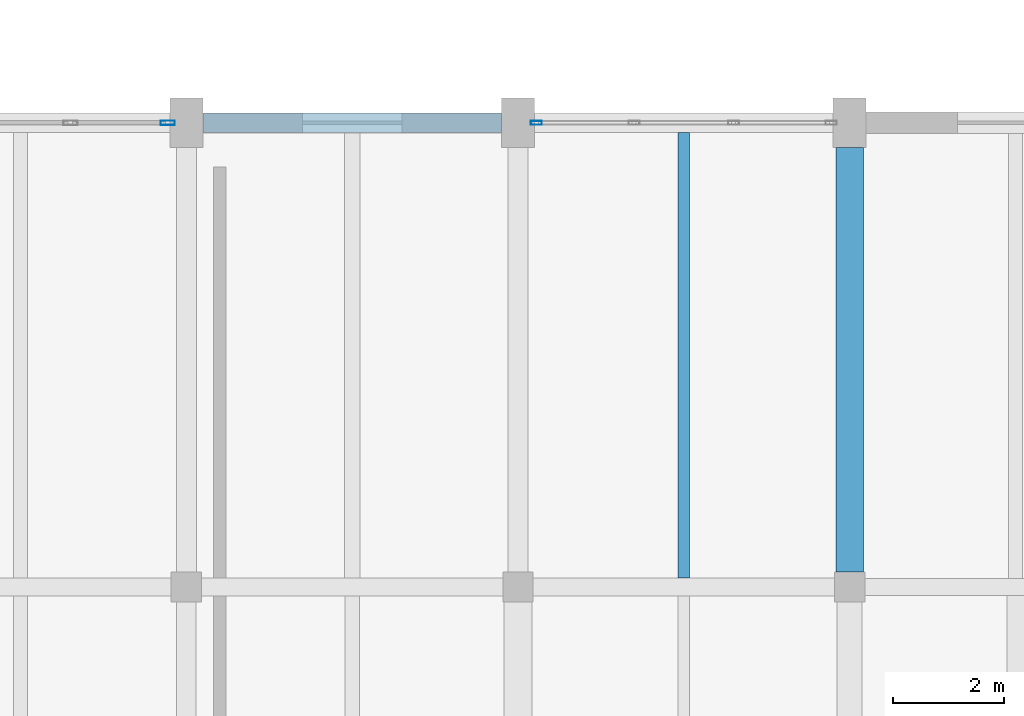
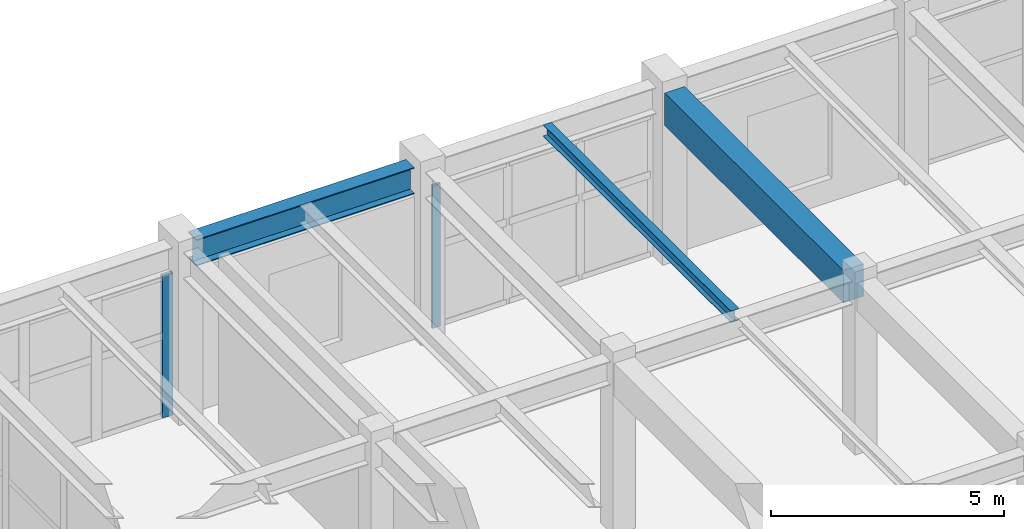
# One storey, part 38 of 96: 3 beams, 2 members, 2 elements without a shape of their own.
"""IFC4 building model written with IfcOpenShell, lengths in metres."""

from ifc_helpers import new_model, si_unit, direction, frame, origin, origin_2d, place, context, subcontext, project, spatial, rectangle, hollow_rectangle, i_section, extrude, material, layer, layer_set, material_profile, profile_set, type_object, element, aggregate, save


model = new_model("IFC4")

# Units and contexts
model_context = context("Model", 3, precision=1e-05, world=origin(), true_north=direction((0.0, 1.0)))
body_context = subcontext(model_context, "Body", "Model", "MODEL_VIEW")
ifc_project = project(units=[si_unit("LENGTHUNIT", "METRE"), si_unit("AREAUNIT", "SQUARE_METRE"), si_unit("VOLUMEUNIT", "CUBIC_METRE"), si_unit("PLANEANGLEUNIT", "RADIAN"), si_unit("MASSUNIT", "GRAM", prefix="KILO")], contexts=[model_context])

# Site, building, storey
site_placement = place(None, origin())
site = spatial("IfcSite", under=ifc_project, at=site_placement, CompositionType="ELEMENT")
building_placement = place(site_placement, origin())
building = spatial("IfcBuilding", under=site, at=building_placement, Name="Vaelkrest Opera House", CompositionType="ELEMENT")
storey_placement = place(building_placement, frame((0.0, 0.0, 5.39990234375)))
storey = spatial("IfcBuildingStorey", under=building, at=storey_placement, Name="L01", CompositionType="ELEMENT", Elevation=5.39990234375)

# Beam
ifc_material_1 = material(Name="Concrete C50/60", Category="concrete")
ifc_material_profile_1 = material_profile(ifc_material_1, rectangle(XDim=0.5, YDim=0.85009765625, at=origin_2d()), Name="RCB500X850")
ifc_profile_set_1 = profile_set([ifc_material_profile_1], Name="Concrete C50/60")
beam_type_1 = type_object("IfcBeamType", Name="B03", PredefinedType="BEAM", material=ifc_profile_set_1)
beam_1_placement = place(storey_placement, frame((-57.60009765625, 25.47509765625, 4.0751953125), z_axis=(0.0, 1.0, 0.0), x_axis=(-1.0, 0.0, 0.0)))
element("IfcBeam", 1, at=beam_1_placement, inside=storey, type_object=beam_type_1, Name="Beam BM-V3-L01-1568", PredefinedType="BEAM", context=body_context, shape_type="SweptSolid", body=[
    extrude(rectangle(XDim=0.5, YDim=0.85009765625, at=origin_2d()), origin(), (0.0, 0.0, 1.0), 7.6748046875),
])

# Curtain wall, member
ifc_material_2 = material(Name="Dark bronze anodized aluminium", Category="aluminium")
ifc_layer_1 = layer(ifc_material_2, 0.22998046875)
ifc_layer_set_1 = layer_set([ifc_layer_1], Name="Dark bronze anodized aluminium")
curtain_wall_type_1 = type_object("IfcCurtainWallType", Name="CW06", PredefinedType="NOTDEFINED", material=ifc_layer_set_1)
curtain_wall_1_placement = place(storey_placement, origin())
curtain_wall_1 = element("IfcCurtainWall", 2, at=curtain_wall_1_placement, inside=storey, type_object=curtain_wall_type_1, Name="Curtain wall CW-L01-107", PredefinedType="NOTDEFINED")
ifc_material_profile_2 = material_profile(ifc_material_2, hollow_rectangle(XDim=0.070068359375, YDim=0.199951171875, WallThickness=0.004150390625, at=origin_2d()), Name="CWM70X200")
ifc_profile_set_2 = profile_set([ifc_material_profile_2], Name="Dark bronze anodized aluminium")
member_type_1 = type_object("IfcMemberType", Name="CWM02", PredefinedType="MULLION", material=ifc_profile_set_2)
member_1_placement = place(storey_placement, frame((-63.26708984375, 33.60009765625, 0.0), z_axis=(0.0, 0.0, 1.0), x_axis=(0.0, 1.0, 0.0)))
member_1 = element("IfcMember", 3, at=member_1_placement, type_object=member_type_1, Name="CW06 mullion 1", PredefinedType="MULLION", context=body_context, shape_type="SweptSolid", body=[
    extrude(hollow_rectangle(XDim=0.070068359375, YDim=0.199951171875, WallThickness=0.004150390625, at=origin_2d()), origin(), (0.0, 0.0, 1.0), 3.739990234375),
])
aggregate(curtain_wall_1, [member_1])

ifc_layer_2 = layer(ifc_material_2, 0.2099609375)
ifc_layer_set_2 = layer_set([ifc_layer_2], Name="Dark bronze anodized aluminium")
curtain_wall_type_2 = type_object("IfcCurtainWallType", Name="CW04", PredefinedType="NOTDEFINED", material=ifc_layer_set_2)
curtain_wall_2_placement = place(storey_placement, origin())
curtain_wall_2 = element("IfcCurtainWall", 4, at=curtain_wall_2_placement, inside=storey, type_object=curtain_wall_type_2, Name="Curtain wall CW-L01-106", PredefinedType="NOTDEFINED")
ifc_material_profile_3 = material_profile(ifc_material_2, hollow_rectangle(XDim=0.080078125, YDim=0.260009765625, WallThickness=0.0048828125, at=origin_2d()), Name="CWM80X260")
ifc_profile_set_3 = profile_set([ifc_material_profile_3], Name="Dark bronze anodized aluminium")
member_type_2 = type_object("IfcMemberType", Name="CWM04", PredefinedType="MULLION", material=ifc_profile_set_3)
member_2_placement = place(storey_placement, frame((-69.93798828125, 33.60009765625, 0.0), z_axis=(0.0, 0.0, 1.0), x_axis=(0.0, 1.0, 0.0)))
member_2 = element("IfcMember", 5, at=member_2_placement, type_object=member_type_2, Name="CW04 mullion 4", PredefinedType="MULLION", context=body_context, shape_type="SweptSolid", body=[
    extrude(hollow_rectangle(XDim=0.080078125, YDim=0.260009765625, WallThickness=0.0048828125, at=origin_2d()), origin(), (0.0, 0.0, 1.0), 3.739990234375),
])
aggregate(curtain_wall_2, [member_2])

# Beams
ifc_material_3 = material(Name="Steel A992 Gr50", Category="steel")
ifc_material_profile_4 = material_profile(ifc_material_3, i_section(OverallWidth=0.202880859375, OverallDepth=0.302978515625, WebThickness=0.007568359375, FlangeThickness=0.01318359375, at=origin_2d()), Name="W12X40")
ifc_profile_set_4 = profile_set([ifc_material_profile_4], Name="Steel A992 Gr50")
beam_type_2 = type_object("IfcBeamType", Name="J02", PredefinedType="JOIST", material=ifc_profile_set_4)
beam_2_placement = place(storey_placement, frame((-60.60009765625, 25.363525390625, 4.3486328125), z_axis=(0.0, 1.0, 0.0), x_axis=(-1.0, 0.0, 0.0)))
element("IfcBeam", 6, at=beam_2_placement, inside=storey, type_object=beam_type_2, Name="Floor joist JST-V3-L01-1602", PredefinedType="JOIST", context=body_context, shape_type="SweptSolid", body=[
    extrude(i_section(OverallWidth=0.202880859375, OverallDepth=0.302978515625, WebThickness=0.007568359375, FlangeThickness=0.01318359375, at=origin_2d()), origin(), (0.0, 0.0, 1.0), 8.05908203125),
])
ifc_material_profile_5 = material_profile(ifc_material_3, i_section(OverallWidth=0.35498046875, OverallDepth=0.695068359375, WebThickness=0.015380859375, FlangeThickness=0.02490234375, at=origin_2d()), Name="W27X146")
ifc_profile_set_5 = profile_set([ifc_material_profile_5], Name="Steel A992 Gr50")
beam_type_3 = type_object("IfcBeamType", Name="SP02", PredefinedType="SPANDREL", material=ifc_profile_set_5)
beam_3_placement = place(storey_placement, frame((-69.300048828125, 33.60009765625, 4.152587890625), z_axis=(1.0, 0.0, 0.0), x_axis=(0.0, 1.0, 0.0)))
element("IfcBeam", 7, at=beam_3_placement, inside=storey, type_object=beam_type_3, Name="Beam BM-V3-L01-1545", PredefinedType="SPANDREL", context=body_context, shape_type="SweptSolid", body=[
    extrude(i_section(OverallWidth=0.35498046875, OverallDepth=0.695068359375, WebThickness=0.015380859375, FlangeThickness=0.02490234375, at=origin_2d()), origin(), (0.0, 0.0, 1.0), 5.400146484375),
])

save(model, "model.ifc")
